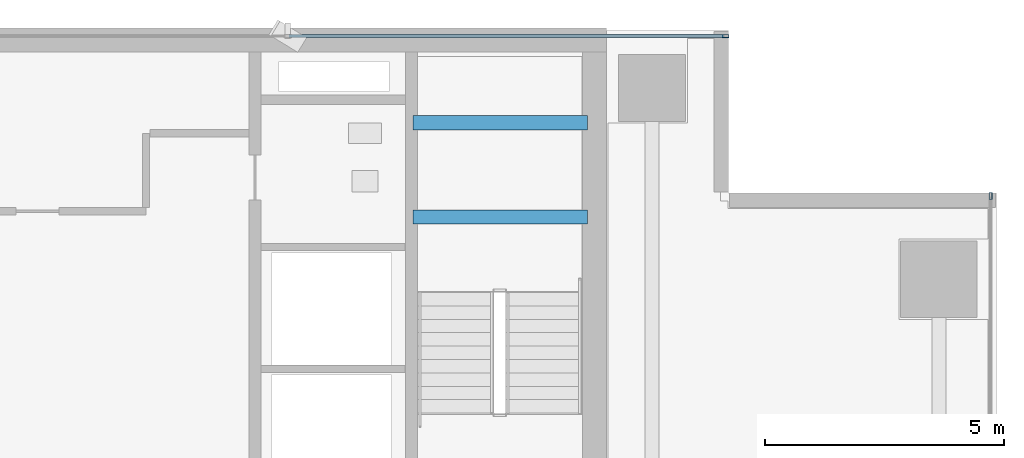
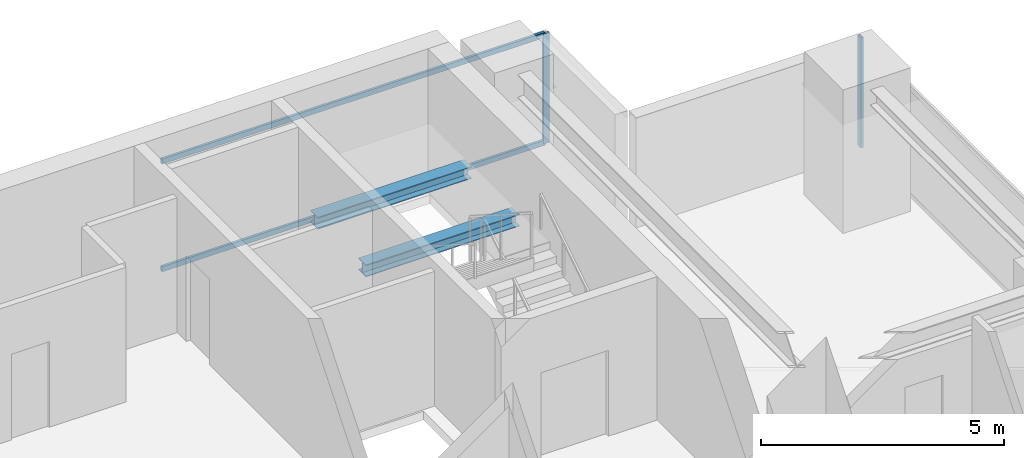
# One storey, part 22 of 29: 4 members, 2 beams, 2 elements without a shape of their own.
"""IFC4 building model written with IfcOpenShell, lengths in metres."""

from ifc_helpers import new_model, si_unit, direction, frame, origin, origin_2d, place, context, subcontext, project, spatial, hollow_rectangle, i_section, extrude, source, transform, mapped, material, layer, layer_set, material_profile, profile_set, type_object, element, aggregate, save


model = new_model("IFC4")

# Units and contexts
model_context = context("Model", 3, precision=1e-05, world=origin(), true_north=direction((0.0, 1.0)))
body_context = subcontext(model_context, "Body", "Model", "MODEL_VIEW")
ifc_project = project(units=[si_unit("LENGTHUNIT", "METRE"), si_unit("AREAUNIT", "SQUARE_METRE"), si_unit("VOLUMEUNIT", "CUBIC_METRE"), si_unit("PLANEANGLEUNIT", "RADIAN"), si_unit("MASSUNIT", "GRAM", prefix="KILO")], contexts=[model_context])

# Site, building, storey
site_placement = place(None, origin())
site = spatial("IfcSite", under=ifc_project, at=site_placement, CompositionType="ELEMENT")
building_placement = place(site_placement, origin())
building = spatial("IfcBuilding", under=site, at=building_placement, Name="Sumidabori Civic Tower", CompositionType="ELEMENT")
storey_placement = place(building_placement, frame((0.0, 0.0, 214.39990234375)))
storey = spatial("IfcBuildingStorey", under=building, at=storey_placement, Name="L55", CompositionType="ELEMENT", Elevation=214.39990234375)

# Beams
ifc_material_1 = material(Name="Steel SN490", Category="steel")
ifc_material_profile_1 = material_profile(ifc_material_1, i_section(OverallWidth=0.300048828125, OverallDepth=0.300048828125, WebThickness=0.010986328125, FlangeThickness=0.01904296875, at=origin_2d()), Name="HE 300 B")
ifc_profile_set_1 = profile_set([ifc_material_profile_1], Name="Steel SN490")
beam_type = type_object("IfcBeamType", Name="BM-LDG-300", PredefinedType="BEAM", material=ifc_profile_set_1)
shared_shape_1 = source(origin(), body_context, "Body", "SweptSolid", [
    extrude(i_section(OverallWidth=0.300048828125, OverallDepth=0.300048828125, WebThickness=0.010986328125, FlangeThickness=0.01904296875, at=origin_2d()), origin(), (0.0, 0.0, 1.0), 3.64990234375),
])
for number, where, z_axis, x_axis, name in (
    (1, (11.800048828125, 20.09765625, 1.4501953125), (1.0, 0.0, 0.0), (0.0, 1.0, 0.0), "Stair ST-2 Landing Support Beam L55-1A"),
    (2, (11.800048828125, 22.069580078125, 1.4501953125), (1.0, 0.0, 0.0), (0.0, 1.0, 0.0), "Stair ST-2 Landing Trimmer Beam L55-1B"),
):
    element("IfcBeam", number, at=place(storey_placement, frame(where, z_axis=z_axis, x_axis=x_axis)), inside=storey, type_object=beam_type, Name=name, PredefinedType="BEAM", context=body_context, shape_type="MappedRepresentation", body=[
        mapped(shared_shape_1, transform((0.0, 0.0, 0.0), x_axis=(1.0, 0.0, 0.0), y_axis=(0.0, 1.0, 0.0), z_axis=(0.0, 0.0, 1.0), scale=1.0)),
    ])

# Curtain wall, member
ifc_material_2 = material(Name="Anodised Bronze Aluminium AW-6063-T6", Category="aluminium")
ifc_layer = layer(ifc_material_2, 0.179931640625, Name="Anodised Bronze Aluminium AW-6063-T6")
ifc_layer_set = layer_set([ifc_layer], Name="Anodised Bronze Aluminium AW-6063-T6")
curtain_wall_type = type_object("IfcCurtainWallType", Name="CW-SYS-5", PredefinedType="NOTDEFINED", material=ifc_layer_set)
curtain_wall_1_placement = place(storey_placement, origin())
curtain_wall_1 = element("IfcCurtainWall", 3, at=curtain_wall_1_placement, inside=storey, type_object=curtain_wall_type, Name="Curtain Wall CW:L55:R10", PredefinedType="NOTDEFINED")
ifc_material_profile_2 = material_profile(ifc_material_2, hollow_rectangle(XDim=0.06005859375, YDim=0.139892578125, WallThickness=0.0048828125, at=origin_2d()), Name="ALU MULLION 140x60")
ifc_profile_set_2 = profile_set([ifc_material_profile_2], Name="Anodised Bronze Aluminium AW-6063-T6")
member_type_1 = type_object("IfcMemberType", Name="CW-MUL-140", PredefinedType="MULLION", material=ifc_profile_set_2)
shared_shape_2 = source(origin(), body_context, "Body", "SweptSolid", [
    extrude(hollow_rectangle(XDim=0.06005859375, YDim=0.139892578125, WallThickness=0.0048828125, at=origin_2d()), origin(), (0.0, 0.0, 1.0), 2.760009765625),
])
member_1_placement = place(storey_placement, frame((23.8798828125, 20.5400390625, 0.0), z_axis=(0.0, 0.0, 1.0), x_axis=(-1.0, 0.0, 0.0)))
member_1 = element("IfcMember", 4, at=member_1_placement, type_object=member_type_1, Name="CW-5 mullion 5", PredefinedType="MULLION", context=body_context, shape_type="MappedRepresentation", body=[
    mapped(shared_shape_2, transform((0.0, 0.0, 0.0), x_axis=(1.0, 0.0, 0.0), y_axis=(0.0, 1.0, 0.0), z_axis=(0.0, 0.0, 1.0), scale=1.0)),
])
aggregate(curtain_wall_1, [member_1])

# Curtain wall, members
curtain_wall_2_placement = place(storey_placement, origin())
curtain_wall_2 = element("IfcCurtainWall", 5, at=curtain_wall_2_placement, inside=storey, type_object=curtain_wall_type, Name="Curtain Wall CW:L55:R13", PredefinedType="NOTDEFINED")
member_2_placement = place(storey_placement, frame((18.340087890625, 23.8798828125, 0.0), z_axis=(0.0, 0.0, 1.0), x_axis=(0.0, -1.0, 0.0)))
member_2 = element("IfcMember", 6, at=member_2_placement, type_object=member_type_1, Name="CW-5 mullion 1", PredefinedType="MULLION", context=body_context, shape_type="MappedRepresentation", body=[
    mapped(shared_shape_2, transform((0.0, 0.0, 0.0), x_axis=(1.0, 0.0, 0.0), y_axis=(0.0, 1.0, 0.0), z_axis=(0.0, 0.0, 1.0), scale=1.0)),
])
ifc_material_profile_3 = material_profile(ifc_material_2, hollow_rectangle(XDim=0.06005859375, YDim=0.1298828125, WallThickness=0.0048828125, at=origin_2d()), Name="ALU TRANSOM 130x60")
ifc_profile_set_3 = profile_set([ifc_material_profile_3], Name="Anodised Bronze Aluminium AW-6063-T6")
member_type_2 = type_object("IfcMemberType", Name="CW-TRN-130", PredefinedType="USERDEFINED", material=ifc_profile_set_3)
shared_shape_3 = source(origin(), body_context, "Body", "SweptSolid", [
    extrude(hollow_rectangle(XDim=0.06005859375, YDim=0.1298828125, WallThickness=0.0048828125, at=origin_2d()), origin(), (0.0, 0.0, 1.0), 9.094970703125),
])
member_3_placement = place(storey_placement, frame((18.31005859375, 23.8798828125, 0.030029296875), z_axis=(-1.0, 0.0, 0.0), x_axis=(0.0, -1.0, 0.0)))
member_3 = element("IfcMember", 7, at=member_3_placement, type_object=member_type_2, Name="CW-5 transom 1.1", ObjectType="TRANSOM", PredefinedType="USERDEFINED", context=body_context, shape_type="MappedRepresentation", body=[
    mapped(shared_shape_3, transform((0.0, 0.0, 0.0), x_axis=(1.0, 0.0, 0.0), y_axis=(0.0, 1.0, 0.0), z_axis=(0.0, 0.0, 1.0), scale=1.0)),
])
member_4_placement = place(storey_placement, frame((18.31005859375, 23.8798828125, 2.72998046875), z_axis=(-1.0, 0.0, 0.0), x_axis=(0.0, -1.0, 0.0)))
member_4 = element("IfcMember", 8, at=member_4_placement, type_object=member_type_2, Name="CW-5 transom 1.2", ObjectType="TRANSOM", PredefinedType="USERDEFINED", context=body_context, shape_type="MappedRepresentation", body=[
    mapped(shared_shape_3, transform((0.0, 0.0, 0.0), x_axis=(1.0, 0.0, 0.0), y_axis=(0.0, 1.0, 0.0), z_axis=(0.0, 0.0, 1.0), scale=1.0)),
])
aggregate(curtain_wall_2, [member_2, member_3, member_4])

save(model, "model.ifc")
